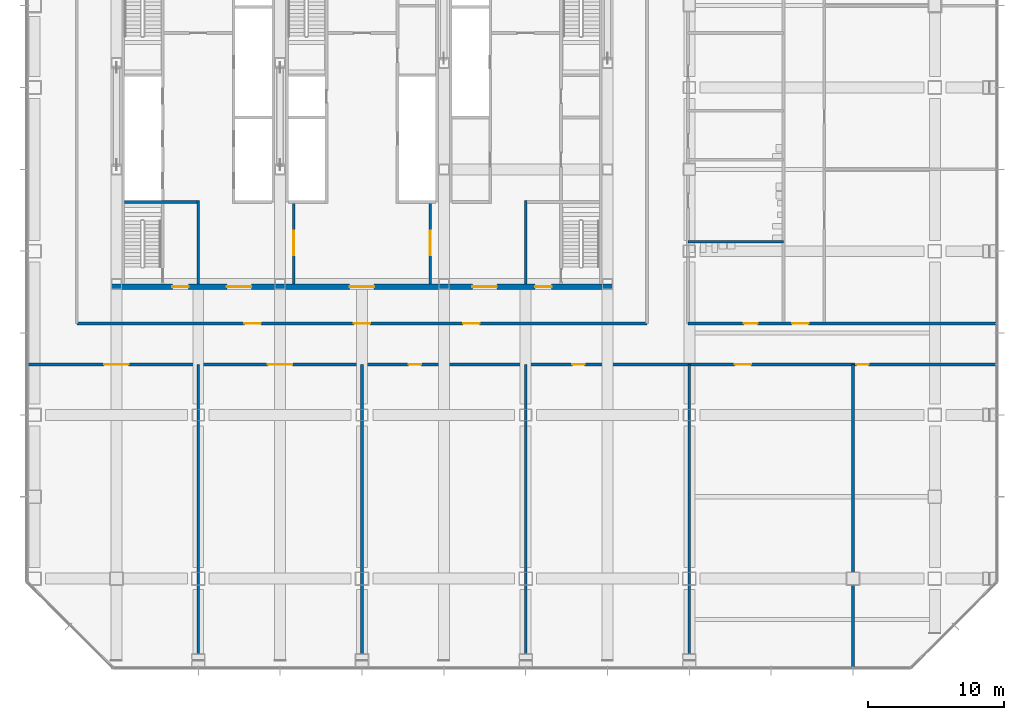
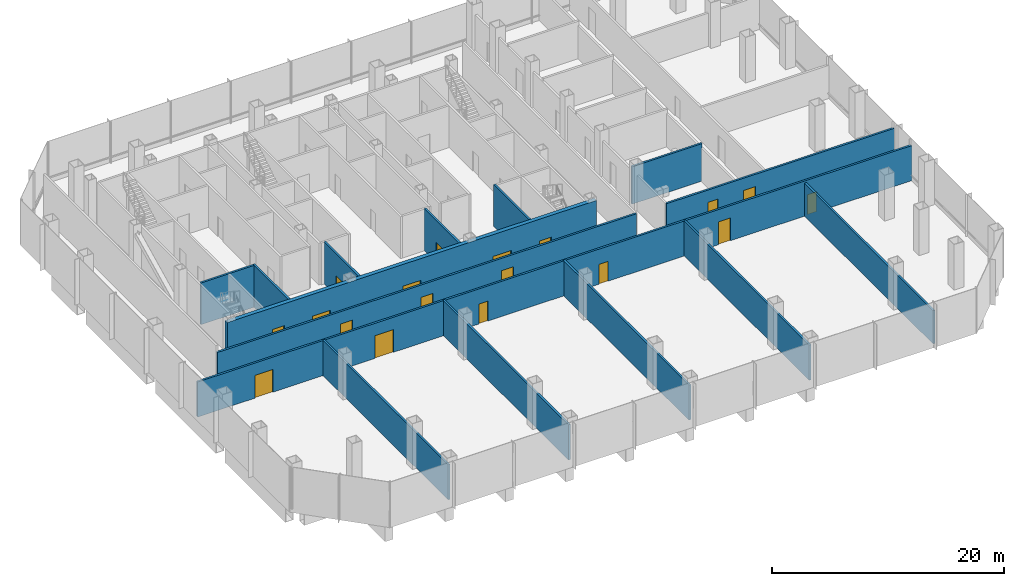
# One storey, part 22 of 34: 18 doors, 15 walls, 18 openings.
"""IFC4 building model written with IfcOpenShell, lengths in metres."""

from ifc_helpers import new_model, si_unit, direction, frame, frame_2d, origin, place, context, subcontext, project, spatial, rectangle, extrude, material, layer, layer_set, type_object, element, fill, save


model = new_model("IFC4")

# Units and contexts
model_context = context("Model", 3, precision=1e-05, world=origin(), true_north=direction((0.0, 1.0)))
body_context = subcontext(model_context, "Body", "Model", "MODEL_VIEW")
ifc_project = project(units=[si_unit("LENGTHUNIT", "METRE"), si_unit("AREAUNIT", "SQUARE_METRE"), si_unit("VOLUMEUNIT", "CUBIC_METRE"), si_unit("PLANEANGLEUNIT", "RADIAN"), si_unit("MASSUNIT", "GRAM", prefix="KILO")], contexts=[model_context])

# Site, building, storey
site_placement = place(None, origin())
site = spatial("IfcSite", under=ifc_project, at=site_placement, CompositionType="ELEMENT")
building_placement = place(site_placement, origin())
building = spatial("IfcBuilding", under=site, at=building_placement, Name="Sorahane Residences", CompositionType="ELEMENT")
storey_placement = place(building_placement, frame((0.0, 0.0, 20.39990234375)))
storey = spatial("IfcBuildingStorey", under=building, at=storey_placement, Name="L02", CompositionType="ELEMENT", Elevation=20.39990234375)

# Walls
ifc_material_1 = material(Name="Concrete blockwork C20 wall", Category="masonry")
ifc_layer_1 = layer(ifc_material_1, 0.199951171875)
ifc_layer_set_1 = layer_set([ifc_layer_1], Name="Corridor wall 200 EI 120")
wall_type_1 = type_object("IfcWallType", Name="Corridor wall 200 EI 120", PredefinedType="SOLIDWALL", material=ifc_layer_set_1)
for number, where, z_axis, x_axis, name in (
    (1, (12.0, -6.0, 0.0), (0.0, 0.0, 1.0), (0.0, 1.0, 0.0), "L02 corridor wall"),
    (2, (24.0, -6.0, 0.0), (0.0, 0.0, 1.0), (0.0, 1.0, 0.0), "L02 corridor wall"),
    (3, (36.0, -6.0, 0.0), (0.0, 0.0, 1.0), (0.0, 1.0, 0.0), "L02 corridor wall"),
    (4, (48.0, -6.0, 0.0), (0.0, 0.0, 1.0), (0.0, 1.0, 0.0), "L02 corridor wall"),
):
    element("IfcWall", number, at=place(storey_placement, frame(where, z_axis=z_axis, x_axis=x_axis)), inside=storey, type_object=wall_type_1, Name=name, PredefinedType="SOLIDWALL", context=body_context, shape_type="SweptSolid", body=[
        extrude(rectangle(XDim=21.699951171875, YDim=0.199951171875, at=frame_2d((10.85009765625, 0.0))), origin(), (0.0, 0.0, 1.0), 3.7001953125),
    ])
wall_1_placement = place(storey_placement, frame((60.0, -6.60009765625, 0.0), z_axis=(0.0, 0.0, 1.0), x_axis=(0.0, 1.0, 0.0)))
element("IfcWall", 5, at=wall_1_placement, inside=storey, type_object=wall_type_1, Name="L02 corridor wall", PredefinedType="SOLIDWALL", context=body_context, shape_type="SweptSolid", body=[
    extrude(rectangle(XDim=22.300048828125, YDim=0.199951171875, at=frame_2d((11.14990234375, 0.0))), origin(), (0.0, 0.0, 1.0), 3.5),
])

# Wall, openings, doors
wall_2_placement = place(storey_placement, frame((-0.60009765625, 15.699951171875, 0.0), z_axis=(0.0, 0.0, 1.0), x_axis=(1.0, 0.0, 0.0)))
wall_2 = element("IfcWall", 6, at=wall_2_placement, inside=storey, type_object=wall_type_1, Name="L02 corridor wall", PredefinedType="SOLIDWALL", context=body_context, shape_type="SweptSolid", body=[
    extrude(rectangle(XDim=71.2001953125, YDim=0.199951171875, at=frame_2d((35.60009765625, 0.0))), origin(), (0.0, 0.0, 1.0), 3.7001953125),
])
opening_1_placement = place(wall_2_placement, frame((5.699951171875, 0.0, 0.0)))
opening_1 = element("IfcOpeningElement", 7, at=opening_1_placement, cuts=wall_2, Name="Opening L02-01", PredefinedType="OPENING", context=body_context, shape_type="SweptSolid", body=[
    extrude(rectangle(XDim=1.800048828125, YDim=2.39990234375, at=frame_2d((0.89990234375, 1.199951171875))), frame((0.0, 0.10986328125, 0.0), z_axis=(0.0, -1.0, 0.0), x_axis=(1.0, 0.0, 0.0)), (0.0, 0.0, 1.0), 0.219970703125),
])
opening_2_placement = place(wall_2_placement, frame((17.699951171875, 0.0, 0.0)))
opening_2 = element("IfcOpeningElement", 8, at=opening_2_placement, cuts=wall_2, Name="Opening L02-02", PredefinedType="OPENING", context=body_context, shape_type="SweptSolid", body=[
    extrude(rectangle(XDim=1.800048828125, YDim=2.39990234375, at=frame_2d((0.89990234375, 1.199951171875))), frame((0.0, 0.10986328125, 0.0), z_axis=(0.0, -1.0, 0.0), x_axis=(1.0, 0.0, 0.0)), (0.0, 0.0, 1.0), 0.219970703125),
])
opening_3_placement = place(wall_2_placement, frame((28.030029296875, 0.0, 0.0)))
opening_3 = element("IfcOpeningElement", 9, at=opening_3_placement, cuts=wall_2, Name="Opening L02-03", PredefinedType="OPENING", context=body_context, shape_type="SweptSolid", body=[
    extrude(rectangle(XDim=0.89990234375, YDim=2.10009765625, at=frame_2d((0.449951171875, 1.050048828125))), frame((0.0, 0.10986328125, 0.0), z_axis=(0.0, -1.0, 0.0), x_axis=(1.0, 0.0, 0.0)), (0.0, 0.0, 1.0), 0.219970703125),
])
opening_4_placement = place(wall_2_placement, frame((40.030029296875, 0.0, 0.0)))
opening_4 = element("IfcOpeningElement", 10, at=opening_4_placement, cuts=wall_2, Name="Opening L02-04", PredefinedType="OPENING", context=body_context, shape_type="SweptSolid", body=[
    extrude(rectangle(XDim=0.89990234375, YDim=2.10009765625, at=frame_2d((0.449951171875, 1.050048828125))), frame((0.0, 0.10986328125, 0.0), z_axis=(0.0, -1.0, 0.0), x_axis=(1.0, 0.0, 0.0)), (0.0, 0.0, 1.0), 0.219970703125),
])
opening_5_placement = place(wall_2_placement, frame((51.93994140625, 0.0, 0.0)))
opening_5 = element("IfcOpeningElement", 11, at=opening_5_placement, cuts=wall_2, Name="Opening L02-05", PredefinedType="OPENING", context=body_context, shape_type="SweptSolid", body=[
    extrude(rectangle(XDim=1.199951171875, YDim=2.39990234375, at=frame_2d((0.60009765625, 1.199951171875))), frame((0.0, 0.10986328125, 0.0), z_axis=(0.0, -1.0, 0.0), x_axis=(1.0, 0.0, 0.0)), (0.0, 0.0, 1.0), 0.219970703125),
])
opening_6_placement = place(wall_2_placement, frame((60.85009765625, 0.0, 0.0)))
opening_6 = element("IfcOpeningElement", 12, at=opening_6_placement, cuts=wall_2, Name="Opening L02-06", PredefinedType="OPENING", context=body_context, shape_type="SweptSolid", body=[
    extrude(rectangle(XDim=0.89990234375, YDim=2.10009765625, at=frame_2d((0.449951171875, 1.050048828125))), frame((0.0, 0.10986328125, 0.0), z_axis=(0.0, -1.0, 0.0), x_axis=(1.0, 0.0, 0.0)), (0.0, 0.0, 1.0), 0.219970703125),
])
ifc_material_2 = material(Name="Timber veneered fire door", Category="wood")
door_type_1 = type_object("IfcDoorType", Name="Double door 1800x2400 FD30", OperationType="NOTDEFINED", PredefinedType="DOOR", material=ifc_material_2)
door_1_placement = place(opening_1_placement, origin())
door_1 = element("IfcDoor", 13, at=door_1_placement, inside=storey, type_object=door_type_1, Name="Double door L02-01", OperationType="SINGLE_SWING_LEFT", OverallHeight=2.39990234375, OverallWidth=1.800048828125, PredefinedType="DOOR", context=body_context, shape_type="SweptSolid", body=[
    extrude(rectangle(XDim=1.800048828125, YDim=2.39990234375, at=frame_2d((0.89990234375, 1.199951171875))), frame((0.0, 0.02490234375, 0.0), z_axis=(0.0, -1.0, 0.0), x_axis=(1.0, 0.0, 0.0)), (0.0, 0.0, 1.0), 0.050048828125),
])
fill(opening_1, door_1)
door_2_placement = place(opening_2_placement, origin())
door_2 = element("IfcDoor", 14, at=door_2_placement, inside=storey, type_object=door_type_1, Name="Double door L02-02", OperationType="SINGLE_SWING_RIGHT", OverallHeight=2.39990234375, OverallWidth=1.800048828125, PredefinedType="DOOR", context=body_context, shape_type="SweptSolid", body=[
    extrude(rectangle(XDim=1.800048828125, YDim=2.39990234375, at=frame_2d((0.89990234375, 1.199951171875))), frame((0.0, 0.02490234375, 0.0), z_axis=(0.0, -1.0, 0.0), x_axis=(1.0, 0.0, 0.0)), (0.0, 0.0, 1.0), 0.050048828125),
])
fill(opening_2, door_2)
ifc_material_3 = material(Name="Steel", Category="steel")
door_type_2 = type_object("IfcDoorType", Name="Plant door 1200x2400 FD60", OperationType="NOTDEFINED", PredefinedType="DOOR", material=ifc_material_3)
door_3_placement = place(opening_5_placement, frame((1.199951171875, 0.0, 0.0), z_axis=(0.0, 0.0, 1.0), x_axis=(-1.0, 0.0, 0.0)))
door_3 = element("IfcDoor", 15, at=door_3_placement, inside=storey, type_object=door_type_2, Name="Plant door L02-05", OperationType="SINGLE_SWING_LEFT", OverallHeight=2.39990234375, OverallWidth=1.199951171875, PredefinedType="DOOR", context=body_context, shape_type="SweptSolid", body=[
    extrude(rectangle(XDim=1.199951171875, YDim=2.39990234375, at=frame_2d((0.60009765625, 1.199951171875))), frame((0.0, 0.02490234375, 0.0), z_axis=(0.0, -1.0, 0.0), x_axis=(1.0, 0.0, 0.0)), (0.0, 0.0, 1.0), 0.050048828125),
])
fill(opening_5, door_3)
ifc_material_4 = material(Name="Timber veneered fire door", Category="wood")
door_type_3 = type_object("IfcDoorType", Name="Service door 900x2100 FD30", OperationType="NOTDEFINED", PredefinedType="DOOR", material=ifc_material_4)
door_4_placement = place(opening_3_placement, frame((0.89990234375, 0.0, 0.0), z_axis=(0.0, 0.0, 1.0), x_axis=(-1.0, 0.0, 0.0)))
door_4 = element("IfcDoor", 16, at=door_4_placement, inside=storey, type_object=door_type_3, Name="Service door L02-03", OperationType="SINGLE_SWING_RIGHT", OverallHeight=2.10009765625, OverallWidth=0.89990234375, PredefinedType="DOOR", context=body_context, shape_type="SweptSolid", body=[
    extrude(rectangle(XDim=0.89990234375, YDim=2.10009765625, at=frame_2d((0.449951171875, 1.050048828125))), frame((0.0, 0.02490234375, 0.0), z_axis=(0.0, -1.0, 0.0), x_axis=(1.0, 0.0, 0.0)), (0.0, 0.0, 1.0), 0.050048828125),
])
fill(opening_3, door_4)
door_5_placement = place(opening_4_placement, frame((0.89990234375, 0.0, 0.0), z_axis=(0.0, 0.0, 1.0), x_axis=(-1.0, 0.0, 0.0)))
door_5 = element("IfcDoor", 17, at=door_5_placement, inside=storey, type_object=door_type_3, Name="Service door L02-04", OperationType="SINGLE_SWING_RIGHT", OverallHeight=2.10009765625, OverallWidth=0.89990234375, PredefinedType="DOOR", context=body_context, shape_type="SweptSolid", body=[
    extrude(rectangle(XDim=0.89990234375, YDim=2.10009765625, at=frame_2d((0.449951171875, 1.050048828125))), frame((0.0, 0.02490234375, 0.0), z_axis=(0.0, -1.0, 0.0), x_axis=(1.0, 0.0, 0.0)), (0.0, 0.0, 1.0), 0.050048828125),
])
fill(opening_4, door_5)
door_6_placement = place(opening_6_placement, frame((0.89990234375, 0.0, 0.0), z_axis=(0.0, 0.0, 1.0), x_axis=(-1.0, 0.0, 0.0)))
door_6 = element("IfcDoor", 18, at=door_6_placement, inside=storey, type_object=door_type_3, Name="Service door L02-06", OperationType="SINGLE_SWING_LEFT", OverallHeight=2.10009765625, OverallWidth=0.89990234375, PredefinedType="DOOR", context=body_context, shape_type="SweptSolid", body=[
    extrude(rectangle(XDim=0.89990234375, YDim=2.10009765625, at=frame_2d((0.449951171875, 1.050048828125))), frame((0.0, 0.02490234375, 0.0), z_axis=(0.0, -1.0, 0.0), x_axis=(1.0, 0.0, 0.0)), (0.0, 0.0, 1.0), 0.050048828125),
])
fill(opening_6, door_6)

wall_3_placement = place(storey_placement, frame((3.10009765625, 18.699951171875, 0.0), z_axis=(0.0, 0.0, 1.0), x_axis=(1.0, 0.0, 0.0)))
wall_3 = element("IfcWall", 19, at=wall_3_placement, inside=storey, type_object=wall_type_1, Name="L02 corridor wall", PredefinedType="SOLIDWALL", context=body_context, shape_type="SweptSolid", body=[
    extrude(rectangle(XDim=41.7998046875, YDim=0.199951171875, at=frame_2d((20.89990234375, 0.0))), origin(), (0.0, 0.0, 1.0), 3.7001953125),
])
opening_7_placement = place(wall_3_placement, frame((28.320068359375, 0.0, 0.0)))
opening_7 = element("IfcOpeningElement", 20, at=opening_7_placement, cuts=wall_3, Name="Opening L02-17", PredefinedType="OPENING", context=body_context, shape_type="SweptSolid", body=[
    extrude(rectangle(XDim=1.199951171875, YDim=2.39990234375, at=frame_2d((0.60009765625, 1.199951171875))), frame((0.0, 0.10986328125, 0.0), z_axis=(0.0, -1.0, 0.0), x_axis=(1.0, 0.0, 0.0)), (0.0, 0.0, 1.0), 0.219970703125),
])
opening_8_placement = place(wall_3_placement, frame((20.300048828125, 0.0, 0.0)))
opening_8 = element("IfcOpeningElement", 21, at=opening_8_placement, cuts=wall_3, Name="Opening L02-18", PredefinedType="OPENING", context=body_context, shape_type="SweptSolid", body=[
    extrude(rectangle(XDim=1.199951171875, YDim=2.39990234375, at=frame_2d((0.60009765625, 1.199951171875))), frame((0.0, 0.10986328125, 0.0), z_axis=(0.0, -1.0, 0.0), x_axis=(1.0, 0.0, 0.0)), (0.0, 0.0, 1.0), 0.219970703125),
])
opening_9_placement = place(wall_3_placement, frame((12.280029296875, 0.0, 0.0)))
opening_9 = element("IfcOpeningElement", 22, at=opening_9_placement, cuts=wall_3, Name="Opening L02-19", PredefinedType="OPENING", context=body_context, shape_type="SweptSolid", body=[
    extrude(rectangle(XDim=1.199951171875, YDim=2.39990234375, at=frame_2d((0.60009765625, 1.199951171875))), frame((0.0, 0.10986328125, 0.0), z_axis=(0.0, -1.0, 0.0), x_axis=(1.0, 0.0, 0.0)), (0.0, 0.0, 1.0), 0.219970703125),
])
ifc_material_5 = material(Name="Steel", Category="steel")
door_type_4 = type_object("IfcDoorType", Name="Lobby door 1200x2400 FD60", OperationType="NOTDEFINED", PredefinedType="DOOR", material=ifc_material_5)
door_7_placement = place(opening_7_placement, frame((1.199951171875, 0.0, 0.0), z_axis=(0.0, 0.0, 1.0), x_axis=(-1.0, 0.0, 0.0)))
door_7 = element("IfcDoor", 23, at=door_7_placement, inside=storey, type_object=door_type_4, Name="Lobby door L02-17", OperationType="SINGLE_SWING_RIGHT", OverallHeight=2.39990234375, OverallWidth=1.199951171875, PredefinedType="DOOR", context=body_context, shape_type="SweptSolid", body=[
    extrude(rectangle(XDim=1.199951171875, YDim=2.39990234375, at=frame_2d((0.60009765625, 1.199951171875))), frame((0.0, 0.02490234375, 0.0), z_axis=(0.0, -1.0, 0.0), x_axis=(1.0, 0.0, 0.0)), (0.0, 0.0, 1.0), 0.050048828125),
])
fill(opening_7, door_7)
door_8_placement = place(opening_8_placement, frame((1.199951171875, 0.0, 0.0), z_axis=(0.0, 0.0, 1.0), x_axis=(-1.0, 0.0, 0.0)))
door_8 = element("IfcDoor", 24, at=door_8_placement, inside=storey, type_object=door_type_4, Name="Lobby door L02-18", OperationType="SINGLE_SWING_LEFT", OverallHeight=2.39990234375, OverallWidth=1.199951171875, PredefinedType="DOOR", context=body_context, shape_type="SweptSolid", body=[
    extrude(rectangle(XDim=1.199951171875, YDim=2.39990234375, at=frame_2d((0.60009765625, 1.199951171875))), frame((0.0, 0.02490234375, 0.0), z_axis=(0.0, -1.0, 0.0), x_axis=(1.0, 0.0, 0.0)), (0.0, 0.0, 1.0), 0.050048828125),
])
fill(opening_8, door_8)
door_9_placement = place(opening_9_placement, frame((1.199951171875, 0.0, 0.0), z_axis=(0.0, 0.0, 1.0), x_axis=(-1.0, 0.0, 0.0)))
door_9 = element("IfcDoor", 25, at=door_9_placement, inside=storey, type_object=door_type_4, Name="Lobby door L02-19", OperationType="SINGLE_SWING_RIGHT", OverallHeight=2.39990234375, OverallWidth=1.199951171875, PredefinedType="DOOR", context=body_context, shape_type="SweptSolid", body=[
    extrude(rectangle(XDim=1.199951171875, YDim=2.39990234375, at=frame_2d((0.60009765625, 1.199951171875))), frame((0.0, 0.02490234375, 0.0), z_axis=(0.0, -1.0, 0.0), x_axis=(1.0, 0.0, 0.0)), (0.0, 0.0, 1.0), 0.050048828125),
])
fill(opening_9, door_9)

wall_4_placement = place(storey_placement, frame((47.89990234375, 18.699951171875, 0.0), z_axis=(0.0, 0.0, 1.0), x_axis=(1.0, 0.0, 0.0)))
wall_4 = element("IfcWall", 26, at=wall_4_placement, inside=storey, type_object=wall_type_1, Name="L02 corridor wall", PredefinedType="SOLIDWALL", context=body_context, shape_type="SweptSolid", body=[
    extrude(rectangle(XDim=22.7001953125, YDim=0.199951171875, at=frame_2d((11.35009765625, 0.0))), origin(), (0.0, 0.0, 1.0), 3.7001953125),
])
opening_10_placement = place(wall_4_placement, frame((4.10009765625, 0.0, 0.0)))
opening_10 = element("IfcOpeningElement", 27, at=opening_10_placement, cuts=wall_4, Name="Opening L02-07", PredefinedType="OPENING", context=body_context, shape_type="SweptSolid", body=[
    extrude(rectangle(XDim=1.0, YDim=2.39990234375, at=frame_2d((0.5, 1.199951171875))), frame((0.0, 0.10986328125, 0.0), z_axis=(0.0, -1.0, 0.0), x_axis=(1.0, 0.0, 0.0)), (0.0, 0.0, 1.0), 0.219970703125),
])
opening_11_placement = place(wall_4_placement, frame((7.639892578125, 0.0, 0.0)))
opening_11 = element("IfcOpeningElement", 28, at=opening_11_placement, cuts=wall_4, Name="Opening L02-13", PredefinedType="OPENING", context=body_context, shape_type="SweptSolid", body=[
    extrude(rectangle(XDim=1.199951171875, YDim=2.39990234375, at=frame_2d((0.60009765625, 1.199951171875))), frame((0.0, 0.10986328125, 0.0), z_axis=(0.0, -1.0, 0.0), x_axis=(1.0, 0.0, 0.0)), (0.0, 0.0, 1.0), 0.219970703125),
])
door_10_placement = place(opening_11_placement, origin())
door_10 = element("IfcDoor", 29, at=door_10_placement, inside=storey, type_object=door_type_4, Name="Lobby door L02-13", OperationType="SINGLE_SWING_RIGHT", OverallHeight=2.39990234375, OverallWidth=1.199951171875, PredefinedType="DOOR", context=body_context, shape_type="SweptSolid", body=[
    extrude(rectangle(XDim=1.199951171875, YDim=2.39990234375, at=frame_2d((0.60009765625, 1.199951171875))), frame((0.0, 0.02490234375, 0.0), z_axis=(0.0, -1.0, 0.0), x_axis=(1.0, 0.0, 0.0)), (0.0, 0.0, 1.0), 0.050048828125),
])
fill(opening_11, door_10)
ifc_material_6 = material(Name="Timber veneered fire door", Category="wood")
door_type_5 = type_object("IfcDoorType", Name="Room door 1000x2400 FD30", OperationType="NOTDEFINED", PredefinedType="DOOR", material=ifc_material_6)
door_11_placement = place(opening_10_placement, origin())
door_11 = element("IfcDoor", 30, at=door_11_placement, inside=storey, type_object=door_type_5, Name="Room door L02-07", OperationType="SINGLE_SWING_RIGHT", OverallHeight=2.39990234375, OverallWidth=1.0, PredefinedType="DOOR", context=body_context, shape_type="SweptSolid", body=[
    extrude(rectangle(XDim=1.0, YDim=2.39990234375, at=frame_2d((0.5, 1.199951171875))), frame((0.0, 0.02490234375, 0.0), z_axis=(0.0, -1.0, 0.0), x_axis=(1.0, 0.0, 0.0)), (0.0, 0.0, 1.0), 0.050048828125),
])
fill(opening_10, door_11)

# Walls
wall_5_placement = place(storey_placement, frame((47.89990234375, 24.699951171875, 0.0), z_axis=(0.0, 0.0, 1.0), x_axis=(1.0, 0.0, 0.0)))
element("IfcWall", 31, at=wall_5_placement, inside=storey, type_object=wall_type_1, Name="L02 corridor wall", PredefinedType="SOLIDWALL", context=body_context, shape_type="SweptSolid", body=[
    extrude(rectangle(XDim=7.0, YDim=0.199951171875, at=frame_2d((3.5, 0.0))), origin(), (0.0, 0.0, 1.0), 3.9501953125),
])
ifc_material_7 = material(Name="Concrete C30", Category="concrete")
ifc_layer_2 = layer(ifc_material_7, 0.199951171875)
ifc_layer_set_2 = layer_set([ifc_layer_2], Name="Front room wall 200 EI 120")
wall_type_2 = type_object("IfcWallType", Name="Front room wall 200 EI 120", PredefinedType="PARTITIONING", material=ifc_layer_set_2)
for number, where, z_axis, x_axis, name in (
    (32, (12.0, 21.60009765625, 0.0), (0.0, 0.0, 1.0), (0.0, 1.0, 0.0), "L02 front room wall"),
    (33, (36.0, 21.60009765625, 0.0), (0.0, 0.0, 1.0), (0.0, 1.0, 0.0), "L02 front room wall"),
):
    element("IfcWall", number, at=place(storey_placement, frame(where, z_axis=z_axis, x_axis=x_axis)), inside=storey, type_object=wall_type_2, Name=name, PredefinedType="PARTITIONING", context=body_context, shape_type="SweptSolid", body=[
        extrude(rectangle(XDim=6.099853515625, YDim=0.199951171875, at=frame_2d((3.0498046875, 0.0))), origin(), (0.0, 0.0, 1.0), 4.400146484375),
    ])

# Wall, opening, door
ifc_material_8 = material(Name="Concrete C30", Category="concrete")
ifc_layer_3 = layer(ifc_material_8, 0.199951171875)
ifc_layer_set_3 = layer_set([ifc_layer_3], Name="Service room partition 200 EI 60")
wall_type_3 = type_object("IfcWallType", Name="Service room partition 200 EI 60", PredefinedType="PARTITIONING", material=ifc_layer_set_3)
wall_6_placement = place(storey_placement, frame((19.0, 21.60009765625, 0.0), z_axis=(0.0, 0.0, 1.0), x_axis=(0.0, 1.0, 0.0)))
wall_6 = element("IfcWall", 34, at=wall_6_placement, inside=storey, type_object=wall_type_3, Name="L02 service room wall", PredefinedType="PARTITIONING", context=body_context, shape_type="SweptSolid", body=[
    extrude(rectangle(XDim=6.0, YDim=0.199951171875, at=frame_2d((3.0, 0.0))), origin(), (0.0, 0.0, 1.0), 4.400146484375),
])
opening_12_placement = place(wall_6_placement, frame((2.10009765625, 0.0, 0.0)))
opening_12 = element("IfcOpeningElement", 35, at=opening_12_placement, cuts=wall_6, Name="Opening L02-C02", PredefinedType="OPENING", context=body_context, shape_type="SweptSolid", body=[
    extrude(rectangle(XDim=1.800048828125, YDim=2.10009765625, at=frame_2d((0.89990234375, 1.050048828125))), frame((0.0, 0.10986328125, 0.0), z_axis=(0.0, -1.0, 0.0), x_axis=(1.0, 0.0, 0.0)), (0.0, 0.0, 1.0), 0.219970703125),
])
ifc_material_9 = material(Name="Steel", Category="steel")
door_type_6 = type_object("IfcDoorType", Name="Waiting hall door 1800x2100 FD60", OperationType="NOTDEFINED", PredefinedType="DOOR", material=ifc_material_9)
door_12_placement = place(opening_12_placement, origin())
door_12 = element("IfcDoor", 36, at=door_12_placement, inside=storey, type_object=door_type_6, Name="Waiting hall door Residents' waiting hall west L02", OperationType="SINGLE_SWING_LEFT", OverallHeight=2.10009765625, OverallWidth=1.800048828125, PredefinedType="DOOR", context=body_context, shape_type="SweptSolid", body=[
    extrude(rectangle(XDim=1.800048828125, YDim=2.10009765625, at=frame_2d((0.89990234375, 1.050048828125))), frame((0.0, 0.02490234375, 0.0), z_axis=(0.0, -1.0, 0.0), x_axis=(1.0, 0.0, 0.0)), (0.0, 0.0, 1.0), 0.050048828125),
])
fill(opening_12, door_12)

wall_7_placement = place(storey_placement, frame((29.0, 21.60009765625, 0.0), z_axis=(0.0, 0.0, 1.0), x_axis=(0.0, 1.0, 0.0)))
wall_7 = element("IfcWall", 37, at=wall_7_placement, inside=storey, type_object=wall_type_3, Name="L02 service room wall", PredefinedType="PARTITIONING", context=body_context, shape_type="SweptSolid", body=[
    extrude(rectangle(XDim=6.0, YDim=0.199951171875, at=frame_2d((3.0, 0.0))), origin(), (0.0, 0.0, 1.0), 4.400146484375),
])
opening_13_placement = place(wall_7_placement, frame((2.10009765625, 0.0, 0.0)))
opening_13 = element("IfcOpeningElement", 38, at=opening_13_placement, cuts=wall_7, Name="Opening L02-C04", PredefinedType="OPENING", context=body_context, shape_type="SweptSolid", body=[
    extrude(rectangle(XDim=1.800048828125, YDim=2.10009765625, at=frame_2d((0.89990234375, 1.050048828125))), frame((0.0, 0.10986328125, 0.0), z_axis=(0.0, -1.0, 0.0), x_axis=(1.0, 0.0, 0.0)), (0.0, 0.0, 1.0), 0.219970703125),
])
door_13_placement = place(opening_13_placement, origin())
door_13 = element("IfcDoor", 39, at=door_13_placement, inside=storey, type_object=door_type_6, Name="Waiting hall door Residents' waiting hall centre L02", OperationType="SINGLE_SWING_LEFT", OverallHeight=2.10009765625, OverallWidth=1.800048828125, PredefinedType="DOOR", context=body_context, shape_type="SweptSolid", body=[
    extrude(rectangle(XDim=1.800048828125, YDim=2.10009765625, at=frame_2d((0.89990234375, 1.050048828125))), frame((0.0, 0.02490234375, 0.0), z_axis=(0.0, -1.0, 0.0), x_axis=(1.0, 0.0, 0.0)), (0.0, 0.0, 1.0), 0.050048828125),
])
fill(opening_13, door_13)

# Wall
ifc_material_10 = material(Name="Concrete C30", Category="concrete")
ifc_layer_4 = layer(ifc_material_10, 0.199951171875)
ifc_layer_set_4 = layer_set([ifc_layer_4], Name="Stair enclosure wall 200 EI 120")
wall_type_4 = type_object("IfcWallType", Name="Stair enclosure wall 200 EI 120", PredefinedType="SOLIDWALL", material=ifc_layer_set_4)
wall_8_placement = place(storey_placement, frame((6.60009765625, 27.60009765625, 0.0), z_axis=(0.0, 0.0, 1.0), x_axis=(1.0, 0.0, 0.0)))
element("IfcWall", 40, at=wall_8_placement, inside=storey, type_object=wall_type_4, Name="L02 stair enclosure wall", PredefinedType="SOLIDWALL", context=body_context, shape_type="SweptSolid", body=[
    extrude(rectangle(XDim=5.2998046875, YDim=0.199951171875, at=frame_2d((2.64990234375, 0.0))), origin(), (0.0, 0.0, 1.0), 4.400146484375),
])

# Wall, openings, doors
ifc_material_11 = material(Name="Concrete C30", Category="concrete")
ifc_layer_5 = layer(ifc_material_11, 0.39990234375)
ifc_layer_set_5 = layer_set([ifc_layer_5], Name="Waiting hall wall 400 EI 120")
wall_type_5 = type_object("IfcWallType", Name="Waiting hall wall 400 EI 120", PredefinedType="SOLIDWALL", material=ifc_layer_set_5)
wall_9_placement = place(storey_placement, frame((5.60009765625, 21.39990234375, 0.0), z_axis=(0.0, 0.0, 1.0), x_axis=(1.0, 0.0, 0.0)))
wall_9 = element("IfcWall", 41, at=wall_9_placement, inside=storey, type_object=wall_type_5, Name="L02 waiting hall wall", PredefinedType="SOLIDWALL", context=body_context, shape_type="SweptSolid", body=[
    extrude(rectangle(XDim=36.7998046875, YDim=0.39990234375, at=frame_2d((18.39990234375, 0.0))), origin(), (0.0, 0.0, 1.0), 4.400146484375),
])
opening_14_placement = place(wall_9_placement, frame((8.5, 0.0, 0.0)))
opening_14 = element("IfcOpeningElement", 42, at=opening_14_placement, cuts=wall_9, Name="Opening L02-C01", PredefinedType="OPENING", context=body_context, shape_type="SweptSolid", body=[
    extrude(rectangle(XDim=1.800048828125, YDim=2.10009765625, at=frame_2d((0.89990234375, 1.050048828125))), frame((0.0, 0.2099609375, 0.0), z_axis=(0.0, -1.0, 0.0), x_axis=(1.0, 0.0, 0.0)), (0.0, 0.0, 1.0), 0.419921875),
])
opening_15_placement = place(wall_9_placement, frame((17.5, 0.0, 0.0)))
opening_15 = element("IfcOpeningElement", 43, at=opening_15_placement, cuts=wall_9, Name="Opening L02-C03", PredefinedType="OPENING", context=body_context, shape_type="SweptSolid", body=[
    extrude(rectangle(XDim=1.800048828125, YDim=2.10009765625, at=frame_2d((0.89990234375, 1.050048828125))), frame((0.0, 0.2099609375, 0.0), z_axis=(0.0, -1.0, 0.0), x_axis=(1.0, 0.0, 0.0)), (0.0, 0.0, 1.0), 0.419921875),
])
opening_16_placement = place(wall_9_placement, frame((26.5, 0.0, 0.0)))
opening_16 = element("IfcOpeningElement", 44, at=opening_16_placement, cuts=wall_9, Name="Opening L02-C05", PredefinedType="OPENING", context=body_context, shape_type="SweptSolid", body=[
    extrude(rectangle(XDim=1.800048828125, YDim=2.10009765625, at=frame_2d((0.89990234375, 1.050048828125))), frame((0.0, 0.2099609375, 0.0), z_axis=(0.0, -1.0, 0.0), x_axis=(1.0, 0.0, 0.0)), (0.0, 0.0, 1.0), 0.419921875),
])
opening_17_placement = place(wall_9_placement, frame((4.5, 0.0, 0.0)))
opening_17 = element("IfcOpeningElement", 45, at=opening_17_placement, cuts=wall_9, Name="Opening L02-C06", PredefinedType="OPENING", context=body_context, shape_type="SweptSolid", body=[
    extrude(rectangle(XDim=1.199951171875, YDim=2.10009765625, at=frame_2d((0.60009765625, 1.050048828125))), frame((0.0, 0.2099609375, 0.0), z_axis=(0.0, -1.0, 0.0), x_axis=(1.0, 0.0, 0.0)), (0.0, 0.0, 1.0), 0.419921875),
])
opening_18_placement = place(wall_9_placement, frame((31.10009765625, 0.0, 0.0)))
opening_18 = element("IfcOpeningElement", 46, at=opening_18_placement, cuts=wall_9, Name="Opening L02-C07", PredefinedType="OPENING", context=body_context, shape_type="SweptSolid", body=[
    extrude(rectangle(XDim=1.199951171875, YDim=2.10009765625, at=frame_2d((0.60009765625, 1.050048828125))), frame((0.0, 0.2099609375, 0.0), z_axis=(0.0, -1.0, 0.0), x_axis=(1.0, 0.0, 0.0)), (0.0, 0.0, 1.0), 0.419921875),
])
ifc_material_12 = material(Name="Steel", Category="steel")
door_type_7 = type_object("IfcDoorType", Name="Stair front room door 1200x2100 FD120", OperationType="NOTDEFINED", PredefinedType="DOOR", material=ifc_material_12)
door_14_placement = place(opening_17_placement, frame((1.199951171875, 0.0, 0.0), z_axis=(0.0, 0.0, 1.0), x_axis=(-1.0, 0.0, 0.0)))
door_14 = element("IfcDoor", 47, at=door_14_placement, inside=storey, type_object=door_type_7, Name="Stair front room door Stair S4 front room L02", OperationType="SINGLE_SWING_LEFT", OverallHeight=2.10009765625, OverallWidth=1.199951171875, PredefinedType="DOOR", context=body_context, shape_type="SweptSolid", body=[
    extrude(rectangle(XDim=1.199951171875, YDim=2.10009765625, at=frame_2d((0.60009765625, 1.050048828125))), frame((0.0, 0.02490234375, 0.0), z_axis=(0.0, -1.0, 0.0), x_axis=(1.0, 0.0, 0.0)), (0.0, 0.0, 1.0), 0.050048828125),
])
fill(opening_17, door_14)
door_15_placement = place(opening_18_placement, frame((1.199951171875, 0.0, 0.0), z_axis=(0.0, 0.0, 1.0), x_axis=(-1.0, 0.0, 0.0)))
door_15 = element("IfcDoor", 48, at=door_15_placement, inside=storey, type_object=door_type_7, Name="Stair front room door Stair S5 front room L02", OperationType="SINGLE_SWING_LEFT", OverallHeight=2.10009765625, OverallWidth=1.199951171875, PredefinedType="DOOR", context=body_context, shape_type="SweptSolid", body=[
    extrude(rectangle(XDim=1.199951171875, YDim=2.10009765625, at=frame_2d((0.60009765625, 1.050048828125))), frame((0.0, 0.02490234375, 0.0), z_axis=(0.0, -1.0, 0.0), x_axis=(1.0, 0.0, 0.0)), (0.0, 0.0, 1.0), 0.050048828125),
])
fill(opening_18, door_15)
door_16_placement = place(opening_14_placement, frame((1.800048828125, 0.0, 0.0), z_axis=(0.0, 0.0, 1.0), x_axis=(-1.0, 0.0, 0.0)))
door_16 = element("IfcDoor", 49, at=door_16_placement, inside=storey, type_object=door_type_6, Name="Waiting hall door Residents' waiting hall west L02", OperationType="SINGLE_SWING_LEFT", OverallHeight=2.10009765625, OverallWidth=1.800048828125, PredefinedType="DOOR", context=body_context, shape_type="SweptSolid", body=[
    extrude(rectangle(XDim=1.800048828125, YDim=2.10009765625, at=frame_2d((0.89990234375, 1.050048828125))), frame((0.0, 0.02490234375, 0.0), z_axis=(0.0, -1.0, 0.0), x_axis=(1.0, 0.0, 0.0)), (0.0, 0.0, 1.0), 0.050048828125),
])
fill(opening_14, door_16)
door_17_placement = place(opening_15_placement, frame((1.800048828125, 0.0, 0.0), z_axis=(0.0, 0.0, 1.0), x_axis=(-1.0, 0.0, 0.0)))
door_17 = element("IfcDoor", 50, at=door_17_placement, inside=storey, type_object=door_type_6, Name="Waiting hall door Residents' waiting hall centre L02", OperationType="SINGLE_SWING_LEFT", OverallHeight=2.10009765625, OverallWidth=1.800048828125, PredefinedType="DOOR", context=body_context, shape_type="SweptSolid", body=[
    extrude(rectangle(XDim=1.800048828125, YDim=2.10009765625, at=frame_2d((0.89990234375, 1.050048828125))), frame((0.0, 0.02490234375, 0.0), z_axis=(0.0, -1.0, 0.0), x_axis=(1.0, 0.0, 0.0)), (0.0, 0.0, 1.0), 0.050048828125),
])
fill(opening_15, door_17)
door_18_placement = place(opening_16_placement, frame((1.800048828125, 0.0, 0.0), z_axis=(0.0, 0.0, 1.0), x_axis=(-1.0, 0.0, 0.0)))
door_18 = element("IfcDoor", 51, at=door_18_placement, inside=storey, type_object=door_type_6, Name="Waiting hall door Residents' waiting hall east L02", OperationType="SINGLE_SWING_LEFT", OverallHeight=2.10009765625, OverallWidth=1.800048828125, PredefinedType="DOOR", context=body_context, shape_type="SweptSolid", body=[
    extrude(rectangle(XDim=1.800048828125, YDim=2.10009765625, at=frame_2d((0.89990234375, 1.050048828125))), frame((0.0, 0.02490234375, 0.0), z_axis=(0.0, -1.0, 0.0), x_axis=(1.0, 0.0, 0.0)), (0.0, 0.0, 1.0), 0.050048828125),
])
fill(opening_16, door_18)

save(model, "model.ifc")
